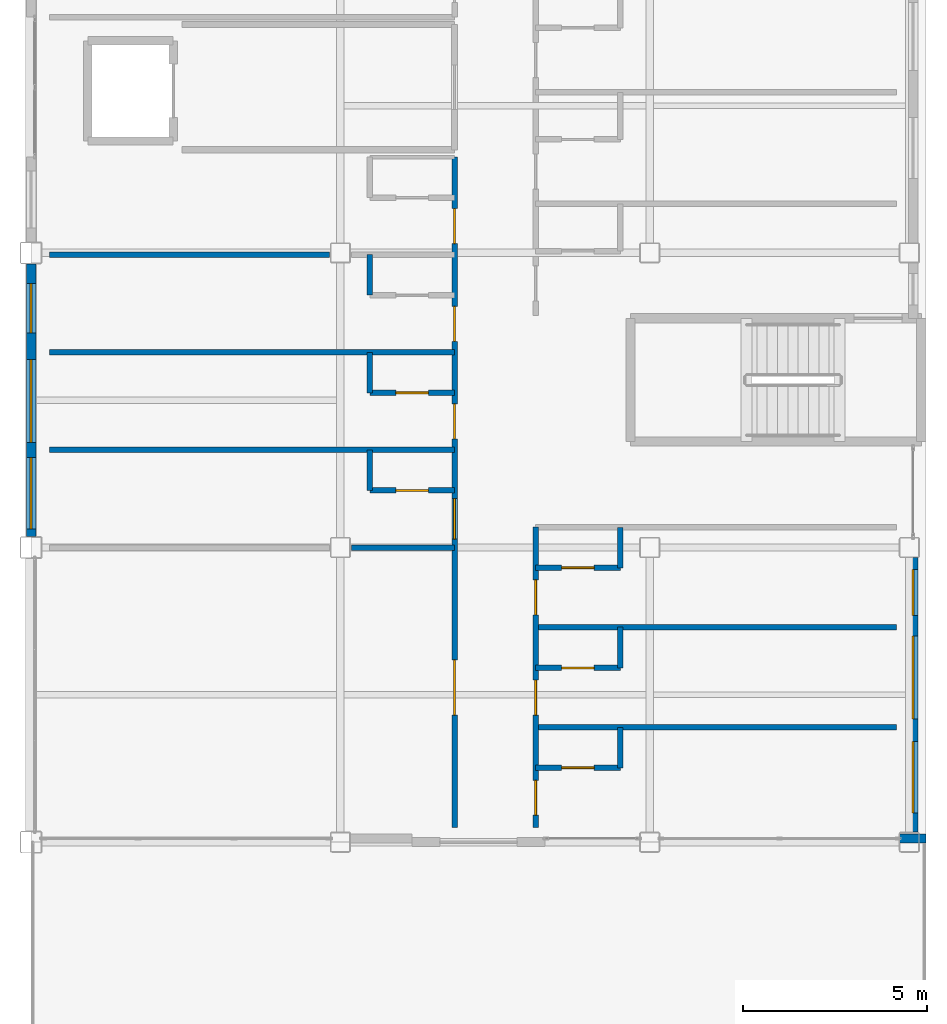
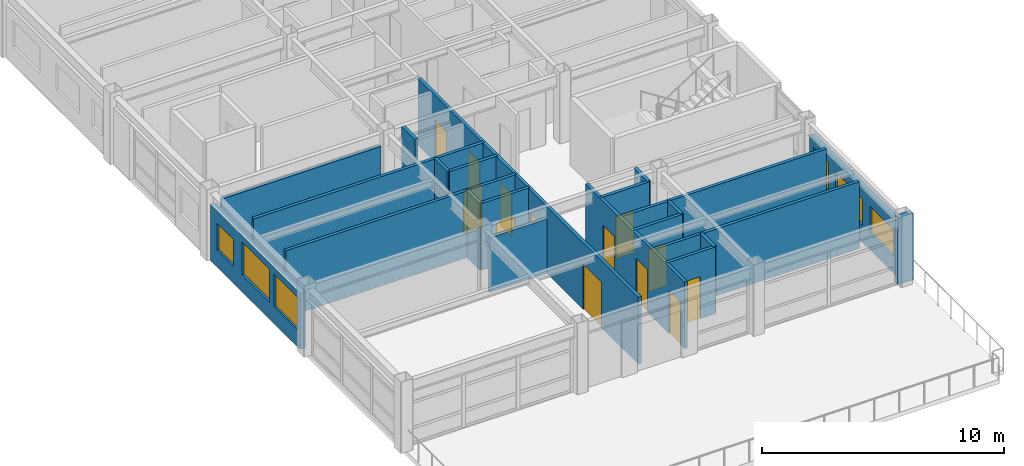
# One storey, part 25 of 36: 22 walls, 13 doors, 6 windows, 19 openings.
"""IFC4 building model written with IfcOpenShell, lengths in metres."""

from ifc_helpers import new_model, si_unit, direction, frame, frame_2d, origin, place, context, subcontext, project, spatial, rectangle, extrude, material, layer, layer_set, type_object, element, fill, save


model = new_model("IFC4")

# Units and contexts
model_context = context("Model", 3, precision=1e-05, world=origin(), true_north=direction((0.0, 1.0)))
body_context = subcontext(model_context, "Body", "Model", "MODEL_VIEW")
ifc_project = project(units=[si_unit("LENGTHUNIT", "METRE"), si_unit("AREAUNIT", "SQUARE_METRE"), si_unit("VOLUMEUNIT", "CUBIC_METRE"), si_unit("PLANEANGLEUNIT", "RADIAN"), si_unit("MASSUNIT", "GRAM", prefix="KILO")], contexts=[model_context])

# Site, building, storey
site_placement = place(None, origin())
site = spatial("IfcSite", under=ifc_project, at=site_placement, CompositionType="ELEMENT")
building_placement = place(site_placement, origin())
building = spatial("IfcBuilding", under=site, at=building_placement, Name="Kazehara Bluff Congress Hotel", CompositionType="ELEMENT")
storey_placement = place(building_placement, frame((0.0, 0.0, 31.800048828125)))
storey = spatial("IfcBuildingStorey", under=building, at=storey_placement, Name="L07", CompositionType="ELEMENT", Elevation=31.800048828125)

# Wall
ifc_material_1 = material(Name="Precast concrete C40/50", Category="concrete")
ifc_layer_1 = layer(ifc_material_1, 0.239990234375)
ifc_layer_set_1 = layer_set([ifc_layer_1], Name="Precast concrete C40/50")
wall_type_1 = type_object("IfcWallType", Name="TP-EW-240", PredefinedType="SOLIDWALL", material=ifc_layer_set_1)
wall_1_placement = place(storey_placement, frame((168.0, 8.10009765625, 0.0), z_axis=(0.0, 0.0, 1.0), x_axis=(-1.0, 0.0, 0.0)))
element("IfcWall", 1, at=wall_1_placement, inside=storey, type_object=wall_type_1, Name="L07 V5 perimeter spandrel pier 745", PredefinedType="SOLIDWALL", context=body_context, shape_type="SweptSolid", body=[
    extrude(rectangle(XDim=0.72509765625, YDim=0.239990234375, at=frame_2d((0.362548828125, 0.0))), origin(), (0.0, 0.0, 1.0), 3.364990234375),
])

# Wall, openings, windows
ifc_material_2 = material(Name="Precast concrete C40/50", Category="concrete")
ifc_layer_2 = layer(ifc_material_2, 0.260009765625)
ifc_layer_set_2 = layer_set([ifc_layer_2], Name="Precast concrete C40/50")
wall_type_2 = type_object("IfcWallType", Name="TP-EW-260", PredefinedType="SOLIDWALL", material=ifc_layer_set_2)
wall_2_placement = place(storey_placement, frame((167.64990234375, 15.72509765625, 0.0), z_axis=(0.0, 0.0, 1.0), x_axis=(0.0, -1.0, 0.0)))
wall_2 = element("IfcWall", 2, at=wall_2_placement, inside=storey, type_object=wall_type_2, Name="L07 hotel facade panel 90", PredefinedType="SOLIDWALL", context=body_context, shape_type="SweptSolid", body=[
    extrude(rectangle(XDim=7.4501953125, YDim=0.260009765625, at=frame_2d((3.72509765625, 0.0))), origin(), (0.0, 0.0, 1.0), 2.7548828125),
])
opening_1_placement = place(wall_2_placement, frame((4.989990234375, 0.0, 0.85009765625)))
opening_1 = element("IfcOpeningElement", 3, at=opening_1_placement, cuts=wall_2, Name="Opening WN-41", PredefinedType="OPENING", context=body_context, shape_type="SweptSolid", body=[
    extrude(rectangle(XDim=1.949951171875, YDim=1.35009765625, at=frame_2d((0.97509765625, 0.675048828125))), frame((0.0, 0.139892578125, 0.0), z_axis=(0.0, -1.0, 0.0), x_axis=(1.0, 0.0, 0.0)), (0.0, 0.0, 1.0), 0.280029296875),
])
opening_2_placement = place(wall_2_placement, frame((2.125, 0.0, 0.85009765625)))
opening_2 = element("IfcOpeningElement", 4, at=opening_2_placement, cuts=wall_2, Name="Opening WN-51", PredefinedType="OPENING", context=body_context, shape_type="SweptSolid", body=[
    extrude(rectangle(XDim=2.25, YDim=1.35009765625, at=frame_2d((1.125, 0.675048828125))), frame((0.0, 0.139892578125, 0.0), z_axis=(0.0, -1.0, 0.0), x_axis=(1.0, 0.0, 0.0)), (0.0, 0.0, 1.0), 0.280029296875),
])
opening_3_placement = place(wall_2_placement, frame((0.320068359375, 0.0, 0.85009765625)))
opening_3 = element("IfcOpeningElement", 5, at=opening_3_placement, cuts=wall_2, Name="Opening WN-07", PredefinedType="OPENING", context=body_context, shape_type="SweptSolid", body=[
    extrude(rectangle(XDim=1.25, YDim=1.5, at=frame_2d((0.625, 0.75))), frame((0.0, 0.139892578125, 0.0), z_axis=(0.0, -1.0, 0.0), x_axis=(1.0, 0.0, 0.0)), (0.0, 0.0, 1.0), 0.280029296875),
])
ifc_material_3 = material(Name="Insulated low-E double glazing", Category="glass")
window_type_1 = type_object("IfcWindowType", Name="TP-WN-07", PartitioningType="SINGLE_PANEL", PredefinedType="WINDOW", material=ifc_material_3)
window_1_placement = place(opening_3_placement, origin())
window_1 = element("IfcWindow", 6, at=window_1_placement, inside=storey, type_object=window_type_1, Name="L07 guestroom window WN-07 169", OverallHeight=1.5, OverallWidth=1.25, PartitioningType="SINGLE_PANEL", PredefinedType="WINDOW", context=body_context, shape_type="SweptSolid", body=[
    extrude(rectangle(XDim=1.25, YDim=1.5, at=frame_2d((0.625, 0.75))), frame((0.0, 0.030029296875, 0.0), z_axis=(0.0, -1.0, 0.0), x_axis=(1.0, 0.0, 0.0)), (0.0, 0.0, 1.0), 0.06005859375),
])
fill(opening_3, window_1)
ifc_material_4 = material(Name="Insulated low-E double glazing", Category="glass")
window_type_2 = type_object("IfcWindowType", Name="TP-WN-41", PartitioningType="DOUBLE_PANEL_VERTICAL", PredefinedType="WINDOW", material=ifc_material_4)
window_2_placement = place(opening_1_placement, origin())
window_2 = element("IfcWindow", 7, at=window_2_placement, inside=storey, type_object=window_type_2, Name="L07 guestroom window WN-41 167", OverallHeight=1.35009765625, OverallWidth=1.949951171875, PartitioningType="SINGLE_PANEL", PredefinedType="WINDOW", context=body_context, shape_type="SweptSolid", body=[
    extrude(rectangle(XDim=1.949951171875, YDim=1.35009765625, at=frame_2d((0.97509765625, 0.675048828125))), frame((0.0, 0.030029296875, 0.0), z_axis=(0.0, -1.0, 0.0), x_axis=(1.0, 0.0, 0.0)), (0.0, 0.0, 1.0), 0.06005859375),
])
fill(opening_1, window_2)
ifc_material_5 = material(Name="Insulated low-E double glazing", Category="glass")
window_type_3 = type_object("IfcWindowType", Name="TP-WN-51", PartitioningType="DOUBLE_PANEL_VERTICAL", PredefinedType="WINDOW", material=ifc_material_5)
window_3_placement = place(opening_2_placement, origin())
window_3 = element("IfcWindow", 8, at=window_3_placement, inside=storey, type_object=window_type_3, Name="L07 guestroom window WN-51 168", OverallHeight=1.35009765625, OverallWidth=2.25, PartitioningType="SINGLE_PANEL", PredefinedType="WINDOW", context=body_context, shape_type="SweptSolid", body=[
    extrude(rectangle(XDim=2.25, YDim=1.35009765625, at=frame_2d((1.125, 0.675048828125))), frame((0.0, 0.030029296875, 0.0), z_axis=(0.0, -1.0, 0.0), x_axis=(1.0, 0.0, 0.0)), (0.0, 0.0, 1.0), 0.06005859375),
])
fill(opening_2, window_3)

wall_3_placement = place(storey_placement, frame((143.699951171875, 16.300048828125, 0.0), z_axis=(0.0, 0.0, 1.0), x_axis=(0.0, 1.0, 0.0)))
wall_3 = element("IfcWall", 9, at=wall_3_placement, inside=storey, type_object=wall_type_2, Name="L07 hotel facade panel 101", PredefinedType="SOLIDWALL", context=body_context, shape_type="SweptSolid", body=[
    extrude(rectangle(XDim=7.39990234375, YDim=0.260009765625, at=frame_2d((3.699951171875, 0.0))), origin(), (0.0, 0.0, 1.0), 2.804931640625),
])
opening_4_placement = place(wall_3_placement, frame((0.199951171875, 0.0, 0.85009765625)))
opening_4 = element("IfcOpeningElement", 10, at=opening_4_placement, cuts=wall_3, Name="Opening WN-43", PredefinedType="OPENING", context=body_context, shape_type="SweptSolid", body=[
    extrude(rectangle(XDim=1.949951171875, YDim=1.64990234375, at=frame_2d((0.97509765625, 0.824951171875))), frame((0.0, 0.139892578125, 0.0), z_axis=(0.0, -1.0, 0.0), x_axis=(1.0, 0.0, 0.0)), (0.0, 0.0, 1.0), 0.280029296875),
])
opening_5_placement = place(wall_3_placement, frame((2.550048828125, 0.0, 0.85009765625)))
opening_5 = element("IfcOpeningElement", 11, at=opening_5_placement, cuts=wall_3, Name="Opening WN-53", PredefinedType="OPENING", context=body_context, shape_type="SweptSolid", body=[
    extrude(rectangle(XDim=2.25, YDim=1.64990234375, at=frame_2d((1.125, 0.824951171875))), frame((0.0, 0.139892578125, 0.0), z_axis=(0.0, -1.0, 0.0), x_axis=(1.0, 0.0, 0.0)), (0.0, 0.0, 1.0), 0.280029296875),
])
opening_6_placement = place(wall_3_placement, frame((5.52490234375, 0.0, 0.85009765625)))
opening_6 = element("IfcOpeningElement", 12, at=opening_6_placement, cuts=wall_3, Name="Opening WN-11", PredefinedType="OPENING", context=body_context, shape_type="SweptSolid", body=[
    extrude(rectangle(XDim=1.35009765625, YDim=1.35009765625, at=frame_2d((0.675048828125, 0.675048828125))), frame((0.0, 0.139892578125, 0.0), z_axis=(0.0, -1.0, 0.0), x_axis=(1.0, 0.0, 0.0)), (0.0, 0.0, 1.0), 0.280029296875),
])
ifc_material_6 = material(Name="Insulated low-E double glazing", Category="glass")
window_type_4 = type_object("IfcWindowType", Name="TP-WN-11", PartitioningType="SINGLE_PANEL", PredefinedType="WINDOW", material=ifc_material_6)
window_4_placement = place(opening_6_placement, origin())
window_4 = element("IfcWindow", 13, at=window_4_placement, inside=storey, type_object=window_type_4, Name="L07 guestroom window WN-11 195", OverallHeight=1.35009765625, OverallWidth=1.35009765625, PartitioningType="SINGLE_PANEL", PredefinedType="WINDOW", context=body_context, shape_type="SweptSolid", body=[
    extrude(rectangle(XDim=1.35009765625, YDim=1.35009765625, at=frame_2d((0.675048828125, 0.675048828125))), frame((0.0, 0.030029296875, 0.0), z_axis=(0.0, -1.0, 0.0), x_axis=(1.0, 0.0, 0.0)), (0.0, 0.0, 1.0), 0.06005859375),
])
fill(opening_6, window_4)
ifc_material_7 = material(Name="Insulated low-E double glazing", Category="glass")
window_type_5 = type_object("IfcWindowType", Name="TP-WN-43", PartitioningType="DOUBLE_PANEL_VERTICAL", PredefinedType="WINDOW", material=ifc_material_7)
window_5_placement = place(opening_4_placement, origin())
window_5 = element("IfcWindow", 14, at=window_5_placement, inside=storey, type_object=window_type_5, Name="L07 guestroom window WN-43 193", OverallHeight=1.64990234375, OverallWidth=1.949951171875, PartitioningType="SINGLE_PANEL", PredefinedType="WINDOW", context=body_context, shape_type="SweptSolid", body=[
    extrude(rectangle(XDim=1.949951171875, YDim=1.64990234375, at=frame_2d((0.97509765625, 0.824951171875))), frame((0.0, 0.030029296875, 0.0), z_axis=(0.0, -1.0, 0.0), x_axis=(1.0, 0.0, 0.0)), (0.0, 0.0, 1.0), 0.06005859375),
])
fill(opening_4, window_5)
ifc_material_8 = material(Name="Insulated low-E double glazing", Category="glass")
window_type_6 = type_object("IfcWindowType", Name="TP-WN-53", PartitioningType="DOUBLE_PANEL_VERTICAL", PredefinedType="WINDOW", material=ifc_material_8)
window_6_placement = place(opening_5_placement, origin())
window_6 = element("IfcWindow", 15, at=window_6_placement, inside=storey, type_object=window_type_6, Name="L07 guestroom window WN-53 194", OverallHeight=1.64990234375, OverallWidth=2.25, PartitioningType="SINGLE_PANEL", PredefinedType="WINDOW", context=body_context, shape_type="SweptSolid", body=[
    extrude(rectangle(XDim=2.25, YDim=1.64990234375, at=frame_2d((1.125, 0.824951171875))), frame((0.0, 0.030029296875, 0.0), z_axis=(0.0, -1.0, 0.0), x_axis=(1.0, 0.0, 0.0)), (0.0, 0.0, 1.0), 0.06005859375),
])
fill(opening_5, window_6)

# Wall, opening, door
ifc_material_9 = material(Name="Fire-rated gypsum board stud partition")
ifc_layer_3 = layer(ifc_material_9, 0.14990234375)
ifc_layer_set_3 = layer_set([ifc_layer_3], Name="Fire-rated gypsum board stud partition")
wall_type_3 = type_object("IfcWallType", Name="TP-PT-150", PredefinedType="PARTITIONING", material=ifc_layer_set_3)
wall_4_placement = place(storey_placement, frame((157.39990234375, 10.02001953125, 0.0), z_axis=(0.0, 0.0, 1.0), x_axis=(1.0, 0.0, 0.0)))
wall_4 = element("IfcWall", 16, at=wall_4_placement, inside=storey, type_object=wall_type_3, Name="L07 partition PT-150 859", PredefinedType="PARTITIONING", context=body_context, shape_type="SweptSolid", body=[
    extrude(rectangle(XDim=2.300048828125, YDim=0.14990234375, at=frame_2d((1.14990234375, 0.0))), origin(), (0.0, 0.0, 1.0), 3.364990234375),
])
opening_7_placement = place(wall_4_placement, frame((0.7099609375, 0.0, 0.0)))
opening_7 = element("IfcOpeningElement", 17, at=opening_7_placement, cuts=wall_4, Name="Opening BD-02", PredefinedType="OPENING", context=body_context, shape_type="SweptSolid", body=[
    extrude(rectangle(XDim=0.8798828125, YDim=2.1201171875, at=frame_2d((0.43994140625, 1.06005859375))), frame((0.0, 0.0849609375, 0.0), z_axis=(0.0, -1.0, 0.0), x_axis=(1.0, 0.0, 0.0)), (0.0, 0.0, 1.0), 0.169921875),
])
ifc_material_10 = material(Name="Architectural oak veneer leaf")
door_type_1 = type_object("IfcDoorType", Name="TP-BD-02", OperationType="NOTDEFINED", PredefinedType="DOOR", material=ifc_material_10)
door_1_placement = place(opening_7_placement, origin())
door_1 = element("IfcDoor", 18, at=door_1_placement, inside=storey, type_object=door_type_1, Name="L07 En-suite Bathroom 183 door", OperationType="SINGLE_SWING_RIGHT", OverallHeight=2.1201171875, OverallWidth=0.8798828125, PredefinedType="DOOR", context=body_context, shape_type="SweptSolid", body=[
    extrude(rectangle(XDim=0.8798828125, YDim=2.1201171875, at=frame_2d((0.43994140625, 1.06005859375))), frame((0.0, 0.02490234375, 0.0), z_axis=(0.0, -1.0, 0.0), x_axis=(1.0, 0.0, 0.0)), (0.0, 0.0, 1.0), 0.050048828125),
])
fill(opening_7, door_1)

# Wall
wall_5_placement = place(storey_placement, frame((157.39990234375, 11.1201171875, 0.0), z_axis=(0.0, 0.0, 1.0), x_axis=(1.0, 0.0, 0.0)))
element("IfcWall", 19, at=wall_5_placement, inside=storey, type_object=wall_type_3, Name="L07 partition PT-150 860", PredefinedType="PARTITIONING", context=body_context, shape_type="SweptSolid", body=[
    extrude(rectangle(XDim=9.800048828125, YDim=0.14990234375, at=frame_2d((4.89990234375, 0.0))), origin(), (0.0, 0.0, 1.0), 3.364990234375),
])

# Wall, opening, door
wall_6_placement = place(storey_placement, frame((157.39990234375, 12.72998046875, 0.0), z_axis=(0.0, 0.0, 1.0), x_axis=(1.0, 0.0, 0.0)))
wall_6 = element("IfcWall", 20, at=wall_6_placement, inside=storey, type_object=wall_type_3, Name="L07 partition PT-150 861", PredefinedType="PARTITIONING", context=body_context, shape_type="SweptSolid", body=[
    extrude(rectangle(XDim=2.300048828125, YDim=0.14990234375, at=frame_2d((1.14990234375, 0.0))), origin(), (0.0, 0.0, 1.0), 3.364990234375),
])
opening_8_placement = place(wall_6_placement, frame((0.7099609375, 0.0, 0.0)))
opening_8 = element("IfcOpeningElement", 21, at=opening_8_placement, cuts=wall_6, Name="Opening BD-02", PredefinedType="OPENING", context=body_context, shape_type="SweptSolid", body=[
    extrude(rectangle(XDim=0.8798828125, YDim=2.1201171875, at=frame_2d((0.43994140625, 1.06005859375))), frame((0.0, 0.0849609375, 0.0), z_axis=(0.0, -1.0, 0.0), x_axis=(1.0, 0.0, 0.0)), (0.0, 0.0, 1.0), 0.169921875),
])
door_2_placement = place(opening_8_placement, origin())
door_2 = element("IfcDoor", 22, at=door_2_placement, inside=storey, type_object=door_type_1, Name="L07 En-suite Bathroom 184 door", OperationType="SINGLE_SWING_RIGHT", OverallHeight=2.1201171875, OverallWidth=0.8798828125, PredefinedType="DOOR", context=body_context, shape_type="SweptSolid", body=[
    extrude(rectangle(XDim=0.8798828125, YDim=2.1201171875, at=frame_2d((0.43994140625, 1.06005859375))), frame((0.0, 0.02490234375, 0.0), z_axis=(0.0, -1.0, 0.0), x_axis=(1.0, 0.0, 0.0)), (0.0, 0.0, 1.0), 0.050048828125),
])
fill(opening_8, door_2)

# Wall
wall_7_placement = place(storey_placement, frame((157.39990234375, 13.840087890625, 0.0), z_axis=(0.0, 0.0, 1.0), x_axis=(1.0, 0.0, 0.0)))
element("IfcWall", 23, at=wall_7_placement, inside=storey, type_object=wall_type_3, Name="L07 partition PT-150 862", PredefinedType="PARTITIONING", context=body_context, shape_type="SweptSolid", body=[
    extrude(rectangle(XDim=9.800048828125, YDim=0.14990234375, at=frame_2d((4.89990234375, 0.0))), origin(), (0.0, 0.0, 1.0), 3.364990234375),
])

# Wall, opening, door
wall_8_placement = place(storey_placement, frame((157.39990234375, 15.449951171875, 0.0), z_axis=(0.0, 0.0, 1.0), x_axis=(1.0, 0.0, 0.0)))
wall_8 = element("IfcWall", 24, at=wall_8_placement, inside=storey, type_object=wall_type_3, Name="L07 partition PT-150 863", PredefinedType="PARTITIONING", context=body_context, shape_type="SweptSolid", body=[
    extrude(rectangle(XDim=2.300048828125, YDim=0.14990234375, at=frame_2d((1.14990234375, 0.0))), origin(), (0.0, 0.0, 1.0), 3.364990234375),
])
opening_9_placement = place(wall_8_placement, frame((0.7099609375, 0.0, 0.0)))
opening_9 = element("IfcOpeningElement", 25, at=opening_9_placement, cuts=wall_8, Name="Opening BD-02", PredefinedType="OPENING", context=body_context, shape_type="SweptSolid", body=[
    extrude(rectangle(XDim=0.8798828125, YDim=2.1201171875, at=frame_2d((0.43994140625, 1.06005859375))), frame((0.0, 0.0849609375, 0.0), z_axis=(0.0, -1.0, 0.0), x_axis=(1.0, 0.0, 0.0)), (0.0, 0.0, 1.0), 0.169921875),
])
door_3_placement = place(opening_9_placement, origin())
door_3 = element("IfcDoor", 26, at=door_3_placement, inside=storey, type_object=door_type_1, Name="L07 En-suite Bathroom 185 door", OperationType="SINGLE_SWING_RIGHT", OverallHeight=2.1201171875, OverallWidth=0.8798828125, PredefinedType="DOOR", context=body_context, shape_type="SweptSolid", body=[
    extrude(rectangle(XDim=0.8798828125, YDim=2.1201171875, at=frame_2d((0.43994140625, 1.06005859375))), frame((0.0, 0.02490234375, 0.0), z_axis=(0.0, -1.0, 0.0), x_axis=(1.0, 0.0, 0.0)), (0.0, 0.0, 1.0), 0.050048828125),
])
fill(opening_9, door_3)

# Wall
wall_9_placement = place(storey_placement, frame((152.39501953125, 16.0, 0.0), z_axis=(0.0, 0.0, 1.0), x_axis=(1.0, 0.0, 0.0)))
element("IfcWall", 27, at=wall_9_placement, inside=storey, type_object=wall_type_3, Name="L07 partition PT-150 865", PredefinedType="PARTITIONING", context=body_context, shape_type="SweptSolid", body=[
    extrude(rectangle(XDim=2.804931640625, YDim=0.14990234375, at=frame_2d((1.40234375, 0.0))), origin(), (0.0, 0.0, 1.0), 2.7548828125),
])

# Wall, opening, door
wall_10_placement = place(storey_placement, frame((152.89990234375, 17.550048828125, 0.0), z_axis=(0.0, 0.0, 1.0), x_axis=(1.0, 0.0, 0.0)))
wall_10 = element("IfcWall", 28, at=wall_10_placement, inside=storey, type_object=wall_type_3, Name="L07 partition PT-150 867", PredefinedType="PARTITIONING", context=body_context, shape_type="SweptSolid", body=[
    extrude(rectangle(XDim=2.300048828125, YDim=0.14990234375, at=frame_2d((1.14990234375, 0.0))), origin(), (0.0, 0.0, 1.0), 3.364990234375),
])
opening_10_placement = place(wall_10_placement, frame((0.7099609375, 0.0, 0.0)))
opening_10 = element("IfcOpeningElement", 29, at=opening_10_placement, cuts=wall_10, Name="Opening BD-02", PredefinedType="OPENING", context=body_context, shape_type="SweptSolid", body=[
    extrude(rectangle(XDim=0.8798828125, YDim=2.1201171875, at=frame_2d((0.43994140625, 1.06005859375))), frame((0.0, 0.0849609375, 0.0), z_axis=(0.0, -1.0, 0.0), x_axis=(1.0, 0.0, 0.0)), (0.0, 0.0, 1.0), 0.169921875),
])
door_4_placement = place(opening_10_placement, origin())
door_4 = element("IfcDoor", 30, at=door_4_placement, inside=storey, type_object=door_type_1, Name="L07 En-suite Bathroom 167 door", OperationType="SINGLE_SWING_RIGHT", OverallHeight=2.1201171875, OverallWidth=0.8798828125, PredefinedType="DOOR", context=body_context, shape_type="SweptSolid", body=[
    extrude(rectangle(XDim=0.8798828125, YDim=2.1201171875, at=frame_2d((0.43994140625, 1.06005859375))), frame((0.0, 0.02490234375, 0.0), z_axis=(0.0, -1.0, 0.0), x_axis=(1.0, 0.0, 0.0)), (0.0, 0.0, 1.0), 0.050048828125),
])
fill(opening_10, door_4)

# Wall
wall_11_placement = place(storey_placement, frame((144.199951171875, 18.64990234375, 0.0), z_axis=(0.0, 0.0, 1.0), x_axis=(1.0, 0.0, 0.0)))
element("IfcWall", 31, at=wall_11_placement, inside=storey, type_object=wall_type_3, Name="L07 partition PT-150 868", PredefinedType="PARTITIONING", context=body_context, shape_type="SweptSolid", body=[
    extrude(rectangle(XDim=11.0, YDim=0.14990234375, at=frame_2d((5.5, 0.0))), origin(), (0.0, 0.0, 1.0), 3.364990234375),
])

# Wall, opening, door
wall_12_placement = place(storey_placement, frame((152.89990234375, 20.199951171875, 0.0), z_axis=(0.0, 0.0, 1.0), x_axis=(1.0, 0.0, 0.0)))
wall_12 = element("IfcWall", 32, at=wall_12_placement, inside=storey, type_object=wall_type_3, Name="L07 partition PT-150 869", PredefinedType="PARTITIONING", context=body_context, shape_type="SweptSolid", body=[
    extrude(rectangle(XDim=2.300048828125, YDim=0.14990234375, at=frame_2d((1.14990234375, 0.0))), origin(), (0.0, 0.0, 1.0), 3.364990234375),
])
opening_11_placement = place(wall_12_placement, frame((0.7099609375, 0.0, 0.0)))
opening_11 = element("IfcOpeningElement", 33, at=opening_11_placement, cuts=wall_12, Name="Opening BD-02", PredefinedType="OPENING", context=body_context, shape_type="SweptSolid", body=[
    extrude(rectangle(XDim=0.8798828125, YDim=2.1201171875, at=frame_2d((0.43994140625, 1.06005859375))), frame((0.0, 0.0849609375, 0.0), z_axis=(0.0, -1.0, 0.0), x_axis=(1.0, 0.0, 0.0)), (0.0, 0.0, 1.0), 0.169921875),
])
door_5_placement = place(opening_11_placement, origin())
door_5 = element("IfcDoor", 34, at=door_5_placement, inside=storey, type_object=door_type_1, Name="L07 En-suite Bathroom 168 door", OperationType="SINGLE_SWING_RIGHT", OverallHeight=2.1201171875, OverallWidth=0.8798828125, PredefinedType="DOOR", context=body_context, shape_type="SweptSolid", body=[
    extrude(rectangle(XDim=0.8798828125, YDim=2.1201171875, at=frame_2d((0.43994140625, 1.06005859375))), frame((0.0, 0.02490234375, 0.0), z_axis=(0.0, -1.0, 0.0), x_axis=(1.0, 0.0, 0.0)), (0.0, 0.0, 1.0), 0.050048828125),
])
fill(opening_11, door_5)

# Walls
wall_13_placement = place(storey_placement, frame((144.199951171875, 21.300048828125, 0.0), z_axis=(0.0, 0.0, 1.0), x_axis=(1.0, 0.0, 0.0)))
element("IfcWall", 35, at=wall_13_placement, inside=storey, type_object=wall_type_3, Name="L07 partition PT-150 870", PredefinedType="PARTITIONING", context=body_context, shape_type="SweptSolid", body=[
    extrude(rectangle(XDim=11.0, YDim=0.14990234375, at=frame_2d((5.5, 0.0))), origin(), (0.0, 0.0, 1.0), 3.364990234375),
])
wall_14_placement = place(storey_placement, frame((144.199951171875, 23.949951171875, 0.0), z_axis=(0.0, 0.0, 1.0), x_axis=(1.0, 0.0, 0.0)))
element("IfcWall", 36, at=wall_14_placement, inside=storey, type_object=wall_type_3, Name="L07 partition PT-150 872", PredefinedType="PARTITIONING", context=body_context, shape_type="SweptSolid", body=[
    extrude(rectangle(XDim=7.60498046875, YDim=0.14990234375, at=frame_2d((3.802490234375, 0.0))), origin(), (0.0, 0.0, 1.0), 2.7548828125),
])
wall_15_placement = place(storey_placement, frame((152.89990234375, 17.550048828125, 0.0), z_axis=(0.0, 0.0, 1.0), x_axis=(0.0, 1.0, 0.0)))
element("IfcWall", 37, at=wall_15_placement, inside=storey, type_object=wall_type_3, Name="L07 partition PT-150 959", PredefinedType="PARTITIONING", context=body_context, shape_type="SweptSolid", body=[
    extrude(rectangle(XDim=1.099853515625, YDim=0.14990234375, at=frame_2d((0.5498046875, 0.0))), origin(), (0.0, 0.0, 1.0), 3.364990234375),
])
wall_16_placement = place(storey_placement, frame((152.89990234375, 20.199951171875, 0.0), z_axis=(0.0, 0.0, 1.0), x_axis=(0.0, 1.0, 0.0)))
element("IfcWall", 38, at=wall_16_placement, inside=storey, type_object=wall_type_3, Name="L07 partition PT-150 960", PredefinedType="PARTITIONING", context=body_context, shape_type="SweptSolid", body=[
    extrude(rectangle(XDim=1.10009765625, YDim=0.14990234375, at=frame_2d((0.550048828125, 0.0))), origin(), (0.0, 0.0, 1.0), 3.364990234375),
])
wall_17_placement = place(storey_placement, frame((152.89990234375, 22.85009765625, 0.0), z_axis=(0.0, 0.0, 1.0), x_axis=(0.0, 1.0, 0.0)))
element("IfcWall", 39, at=wall_17_placement, inside=storey, type_object=wall_type_3, Name="L07 partition PT-150 961", PredefinedType="PARTITIONING", context=body_context, shape_type="SweptSolid", body=[
    extrude(rectangle(XDim=1.099853515625, YDim=0.14990234375, at=frame_2d((0.5498046875, 0.0))), origin(), (0.0, 0.0, 1.0), 3.364990234375),
])

# Wall, openings, doors
wall_18_placement = place(storey_placement, frame((155.199951171875, 8.39990234375, 0.0), z_axis=(0.0, 0.0, 1.0), x_axis=(0.0, 1.0, 0.0)))
wall_18 = element("IfcWall", 40, at=wall_18_placement, inside=storey, type_object=wall_type_3, Name="L07 partition PT-150 975", PredefinedType="PARTITIONING", context=body_context, shape_type="SweptSolid", body=[
    extrude(rectangle(XDim=18.2001953125, YDim=0.14990234375, at=frame_2d((9.10009765625, 0.0))), origin(), (0.0, 0.0, 1.0), 3.364990234375),
])
opening_12_placement = place(wall_18_placement, frame((3.050048828125, 0.0, 0.0)))
opening_12 = element("IfcOpeningElement", 41, at=opening_12_placement, cuts=wall_18, Name="Opening AD-01", PredefinedType="OPENING", context=body_context, shape_type="SweptSolid", body=[
    extrude(rectangle(XDim=1.5, YDim=2.300048828125, at=frame_2d((0.75, 1.14990234375))), frame((0.0, 0.0849609375, 0.0), z_axis=(0.0, -1.0, 0.0), x_axis=(1.0, 0.0, 0.0)), (0.0, 0.0, 1.0), 0.169921875),
])
opening_13_placement = place(wall_18_placement, frame((7.824951171875, 0.0, 0.0)))
opening_13 = element("IfcOpeningElement", 42, at=opening_13_placement, cuts=wall_18, Name="Opening GD-02", PredefinedType="OPENING", context=body_context, shape_type="SweptSolid", body=[
    extrude(rectangle(XDim=1.10009765625, YDim=2.199951171875, at=frame_2d((0.550048828125, 1.10009765625))), frame((0.0, 0.0849609375, 0.0), z_axis=(0.0, -1.0, 0.0), x_axis=(1.0, 0.0, 0.0)), (0.0, 0.0, 1.0), 0.169921875),
])
opening_14_placement = place(wall_18_placement, frame((10.550048828125, 0.0, 0.0)))
opening_14 = element("IfcOpeningElement", 43, at=opening_14_placement, cuts=wall_18, Name="Opening GD-01", PredefinedType="OPENING", context=body_context, shape_type="SweptSolid", body=[
    extrude(rectangle(XDim=0.949951171875, YDim=2.14990234375, at=frame_2d((0.47509765625, 1.074951171875))), frame((0.0, 0.0849609375, 0.0), z_axis=(0.0, -1.0, 0.0), x_axis=(1.0, 0.0, 0.0)), (0.0, 0.0, 1.0), 0.169921875),
])
opening_15_placement = place(wall_18_placement, frame((13.199951171875, 0.0, 0.0)))
opening_15 = element("IfcOpeningElement", 44, at=opening_15_placement, cuts=wall_18, Name="Opening GD-01", PredefinedType="OPENING", context=body_context, shape_type="SweptSolid", body=[
    extrude(rectangle(XDim=0.949951171875, YDim=2.14990234375, at=frame_2d((0.47509765625, 1.074951171875))), frame((0.0, 0.0849609375, 0.0), z_axis=(0.0, -1.0, 0.0), x_axis=(1.0, 0.0, 0.0)), (0.0, 0.0, 1.0), 0.169921875),
])
opening_16_placement = place(wall_18_placement, frame((15.85009765625, 0.0, 0.0)))
opening_16 = element("IfcOpeningElement", 45, at=opening_16_placement, cuts=wall_18, Name="Opening GD-01", PredefinedType="OPENING", context=body_context, shape_type="SweptSolid", body=[
    extrude(rectangle(XDim=0.949951171875, YDim=2.14990234375, at=frame_2d((0.47509765625, 1.074951171875))), frame((0.0, 0.0849609375, 0.0), z_axis=(0.0, -1.0, 0.0), x_axis=(1.0, 0.0, 0.0)), (0.0, 0.0, 1.0), 0.169921875),
])
ifc_material_11 = material(Name="Architectural oak veneer leaf")
door_type_2 = type_object("IfcDoorType", Name="TP-AD-01", OperationType="DOUBLE_DOOR_SINGLE_SWING", PredefinedType="DOOR", material=ifc_material_11)
door_6_placement = place(opening_12_placement, origin())
door_6 = element("IfcDoor", 46, at=door_6_placement, inside=storey, type_object=door_type_2, Name="L07 South Sky Terrace Tea Salon door", OperationType="DOUBLE_DOOR_SINGLE_SWING", OverallHeight=2.300048828125, OverallWidth=1.5, PredefinedType="DOOR", context=body_context, shape_type="SweptSolid", body=[
    extrude(rectangle(XDim=1.5, YDim=2.300048828125, at=frame_2d((0.75, 1.14990234375))), frame((0.0, 0.02490234375, 0.0), z_axis=(0.0, -1.0, 0.0), x_axis=(1.0, 0.0, 0.0)), (0.0, 0.0, 1.0), 0.050048828125),
])
fill(opening_12, door_6)
ifc_material_12 = material(Name="Architectural oak veneer leaf")
door_type_3 = type_object("IfcDoorType", Name="TP-GD-01", OperationType="NOTDEFINED", PredefinedType="DOOR", material=ifc_material_12)
door_7_placement = place(opening_14_placement, origin())
door_7 = element("IfcDoor", 47, at=door_7_placement, inside=storey, type_object=door_type_3, Name="L07 Deluxe Twin Guest Room 168 door", OperationType="SINGLE_SWING_LEFT", OverallHeight=2.14990234375, OverallWidth=0.949951171875, PredefinedType="DOOR", context=body_context, shape_type="SweptSolid", body=[
    extrude(rectangle(XDim=0.949951171875, YDim=2.14990234375, at=frame_2d((0.47509765625, 1.074951171875))), frame((0.0, 0.02490234375, 0.0), z_axis=(0.0, -1.0, 0.0), x_axis=(1.0, 0.0, 0.0)), (0.0, 0.0, 1.0), 0.050048828125),
])
fill(opening_14, door_7)
door_8_placement = place(opening_15_placement, origin())
door_8 = element("IfcDoor", 48, at=door_8_placement, inside=storey, type_object=door_type_3, Name="L07 Standard King Guest Room 169 door", OperationType="SINGLE_SWING_LEFT", OverallHeight=2.14990234375, OverallWidth=0.949951171875, PredefinedType="DOOR", context=body_context, shape_type="SweptSolid", body=[
    extrude(rectangle(XDim=0.949951171875, YDim=2.14990234375, at=frame_2d((0.47509765625, 1.074951171875))), frame((0.0, 0.02490234375, 0.0), z_axis=(0.0, -1.0, 0.0), x_axis=(1.0, 0.0, 0.0)), (0.0, 0.0, 1.0), 0.050048828125),
])
fill(opening_15, door_8)
door_9_placement = place(opening_16_placement, origin())
door_9 = element("IfcDoor", 49, at=door_9_placement, inside=storey, type_object=door_type_3, Name="L07 Deluxe Twin Guest Room 170 door", OperationType="SINGLE_SWING_LEFT", OverallHeight=2.14990234375, OverallWidth=0.949951171875, PredefinedType="DOOR", context=body_context, shape_type="SweptSolid", body=[
    extrude(rectangle(XDim=0.949951171875, YDim=2.14990234375, at=frame_2d((0.47509765625, 1.074951171875))), frame((0.0, 0.02490234375, 0.0), z_axis=(0.0, -1.0, 0.0), x_axis=(1.0, 0.0, 0.0)), (0.0, 0.0, 1.0), 0.050048828125),
])
fill(opening_16, door_9)
ifc_material_13 = material(Name="Architectural oak veneer leaf")
door_type_4 = type_object("IfcDoorType", Name="TP-GD-02", OperationType="NOTDEFINED", PredefinedType="DOOR", material=ifc_material_13)
door_10_placement = place(opening_13_placement, origin())
door_10 = element("IfcDoor", 50, at=door_10_placement, inside=storey, type_object=door_type_4, Name="L07 Accessible Suite 167 door", OperationType="SINGLE_SWING_LEFT", OverallHeight=2.199951171875, OverallWidth=1.10009765625, PredefinedType="DOOR", context=body_context, shape_type="SweptSolid", body=[
    extrude(rectangle(XDim=1.10009765625, YDim=2.199951171875, at=frame_2d((0.550048828125, 1.10009765625))), frame((0.0, 0.02490234375, 0.0), z_axis=(0.0, -1.0, 0.0), x_axis=(1.0, 0.0, 0.0)), (0.0, 0.0, 1.0), 0.050048828125),
])
fill(opening_13, door_10)

wall_19_placement = place(storey_placement, frame((157.39990234375, 8.39990234375, 0.0), z_axis=(0.0, 0.0, 1.0), x_axis=(0.0, 1.0, 0.0)))
wall_19 = element("IfcWall", 51, at=wall_19_placement, inside=storey, type_object=wall_type_3, Name="L07 partition PT-150 982", PredefinedType="PARTITIONING", context=body_context, shape_type="SweptSolid", body=[
    extrude(rectangle(XDim=8.150146484375, YDim=0.14990234375, at=frame_2d((4.0751953125, 0.0))), origin(), (0.0, 0.0, 1.0), 3.364990234375),
])
opening_17_placement = place(wall_19_placement, frame((0.330078125, 0.0, 0.0)))
opening_17 = element("IfcOpeningElement", 52, at=opening_17_placement, cuts=wall_19, Name="Opening GD-01", PredefinedType="OPENING", context=body_context, shape_type="SweptSolid", body=[
    extrude(rectangle(XDim=0.949951171875, YDim=2.14990234375, at=frame_2d((0.47509765625, 1.074951171875))), frame((0.0, 0.0849609375, 0.0), z_axis=(0.0, -1.0, 0.0), x_axis=(1.0, 0.0, 0.0)), (0.0, 0.0, 1.0), 0.169921875),
])
opening_18_placement = place(wall_19_placement, frame((3.050048828125, 0.0, 0.0)))
opening_18 = element("IfcOpeningElement", 53, at=opening_18_placement, cuts=wall_19, Name="Opening GD-01", PredefinedType="OPENING", context=body_context, shape_type="SweptSolid", body=[
    extrude(rectangle(XDim=0.949951171875, YDim=2.14990234375, at=frame_2d((0.47509765625, 1.074951171875))), frame((0.0, 0.0849609375, 0.0), z_axis=(0.0, -1.0, 0.0), x_axis=(1.0, 0.0, 0.0)), (0.0, 0.0, 1.0), 0.169921875),
])
opening_19_placement = place(wall_19_placement, frame((5.77001953125, 0.0, 0.0)))
opening_19 = element("IfcOpeningElement", 54, at=opening_19_placement, cuts=wall_19, Name="Opening GD-01", PredefinedType="OPENING", context=body_context, shape_type="SweptSolid", body=[
    extrude(rectangle(XDim=0.949951171875, YDim=2.14990234375, at=frame_2d((0.47509765625, 1.074951171875))), frame((0.0, 0.0849609375, 0.0), z_axis=(0.0, -1.0, 0.0), x_axis=(1.0, 0.0, 0.0)), (0.0, 0.0, 1.0), 0.169921875),
])
door_11_placement = place(opening_17_placement, origin())
door_11 = element("IfcDoor", 55, at=door_11_placement, inside=storey, type_object=door_type_3, Name="L07 Standard King Guest Room 183 door", OperationType="SINGLE_SWING_LEFT", OverallHeight=2.14990234375, OverallWidth=0.949951171875, PredefinedType="DOOR", context=body_context, shape_type="SweptSolid", body=[
    extrude(rectangle(XDim=0.949951171875, YDim=2.14990234375, at=frame_2d((0.47509765625, 1.074951171875))), frame((0.0, 0.02490234375, 0.0), z_axis=(0.0, -1.0, 0.0), x_axis=(1.0, 0.0, 0.0)), (0.0, 0.0, 1.0), 0.050048828125),
])
fill(opening_17, door_11)
door_12_placement = place(opening_18_placement, origin())
door_12 = element("IfcDoor", 56, at=door_12_placement, inside=storey, type_object=door_type_3, Name="L07 Deluxe Twin Guest Room 184 door", OperationType="SINGLE_SWING_LEFT", OverallHeight=2.14990234375, OverallWidth=0.949951171875, PredefinedType="DOOR", context=body_context, shape_type="SweptSolid", body=[
    extrude(rectangle(XDim=0.949951171875, YDim=2.14990234375, at=frame_2d((0.47509765625, 1.074951171875))), frame((0.0, 0.02490234375, 0.0), z_axis=(0.0, -1.0, 0.0), x_axis=(1.0, 0.0, 0.0)), (0.0, 0.0, 1.0), 0.050048828125),
])
fill(opening_18, door_12)
door_13_placement = place(opening_19_placement, origin())
door_13 = element("IfcDoor", 57, at=door_13_placement, inside=storey, type_object=door_type_3, Name="L07 Standard King Guest Room 185 door", OperationType="SINGLE_SWING_LEFT", OverallHeight=2.14990234375, OverallWidth=0.949951171875, PredefinedType="DOOR", context=body_context, shape_type="SweptSolid", body=[
    extrude(rectangle(XDim=0.949951171875, YDim=2.14990234375, at=frame_2d((0.47509765625, 1.074951171875))), frame((0.0, 0.02490234375, 0.0), z_axis=(0.0, -1.0, 0.0), x_axis=(1.0, 0.0, 0.0)), (0.0, 0.0, 1.0), 0.050048828125),
])
fill(opening_19, door_13)

# Walls
wall_20_placement = place(storey_placement, frame((159.699951171875, 10.014892578125, 0.0), z_axis=(0.0, 0.0, 1.0), x_axis=(0.0, 1.0, 0.0)))
element("IfcWall", 58, at=wall_20_placement, inside=storey, type_object=wall_type_3, Name="L07 partition PT-150 985", PredefinedType="PARTITIONING", context=body_context, shape_type="SweptSolid", body=[
    extrude(rectangle(XDim=1.10009765625, YDim=0.14990234375, at=frame_2d((0.550048828125, 0.0))), origin(), (0.0, 0.0, 1.0), 3.364990234375),
])
wall_21_placement = place(storey_placement, frame((159.699951171875, 12.735107421875, 0.0), z_axis=(0.0, 0.0, 1.0), x_axis=(0.0, 1.0, 0.0)))
element("IfcWall", 59, at=wall_21_placement, inside=storey, type_object=wall_type_3, Name="L07 partition PT-150 986", PredefinedType="PARTITIONING", context=body_context, shape_type="SweptSolid", body=[
    extrude(rectangle(XDim=1.099853515625, YDim=0.14990234375, at=frame_2d((0.5498046875, 0.0))), origin(), (0.0, 0.0, 1.0), 3.364990234375),
])
wall_22_placement = place(storey_placement, frame((159.699951171875, 15.449951171875, 0.0), z_axis=(0.0, 0.0, 1.0), x_axis=(0.0, 1.0, 0.0)))
element("IfcWall", 60, at=wall_22_placement, inside=storey, type_object=wall_type_3, Name="L07 partition PT-150 987", PredefinedType="PARTITIONING", context=body_context, shape_type="SweptSolid", body=[
    extrude(rectangle(XDim=1.10009765625, YDim=0.14990234375, at=frame_2d((0.550048828125, 0.0))), origin(), (0.0, 0.0, 1.0), 3.364990234375),
])

save(model, "model.ifc")
